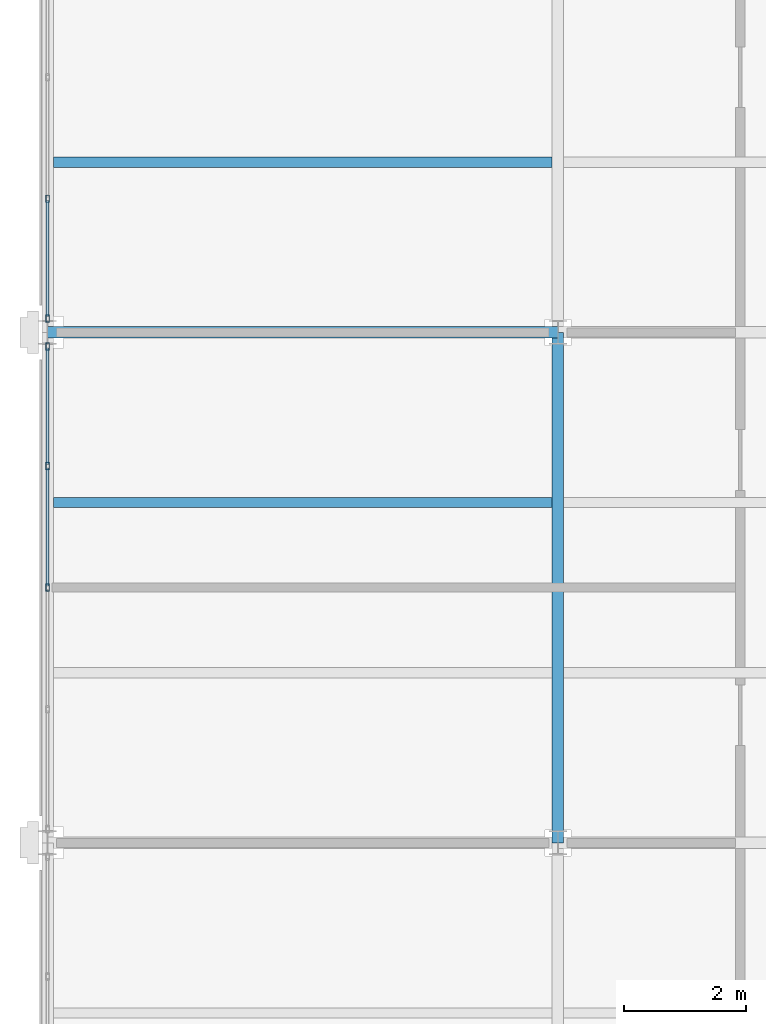
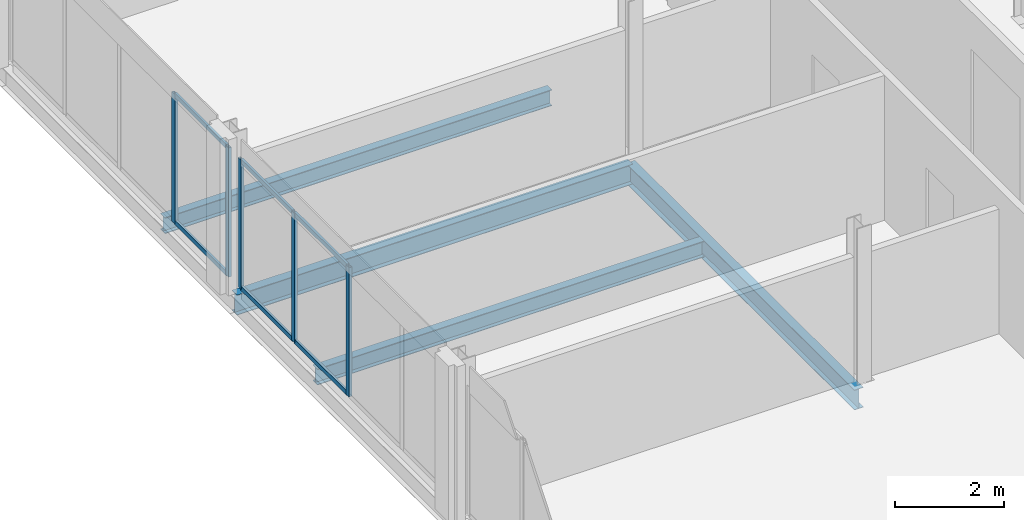
# One storey, part 12 of 32: 11 members, 4 beams, 2 elements without a shape of their own.
"""IFC4 building model written with IfcOpenShell, lengths in metres."""

from ifc_helpers import new_model, si_unit, direction, frame, origin, origin_2d, place, context, subcontext, project, spatial, hollow_rectangle, i_section, extrude, material, material_profile, profile_set, type_object, element, aggregate, save


model = new_model("IFC4")

# Units and contexts
model_context = context("Model", 3, precision=1e-05, world=origin(), true_north=direction((0.0, 1.0)))
body_context = subcontext(model_context, "Body", "Model", "MODEL_VIEW")
ifc_project = project(units=[si_unit("LENGTHUNIT", "METRE"), si_unit("AREAUNIT", "SQUARE_METRE"), si_unit("VOLUMEUNIT", "CUBIC_METRE"), si_unit("PLANEANGLEUNIT", "RADIAN"), si_unit("MASSUNIT", "GRAM", prefix="KILO")], contexts=[model_context])

# Site, building, storey
site_placement = place(None, origin())
site = spatial("IfcSite", under=ifc_project, at=site_placement, CompositionType="ELEMENT")
building_placement = place(site_placement, origin())
building = spatial("IfcBuilding", under=site, at=building_placement, Name="Catenary Quay Ferry Terminal", CompositionType="ELEMENT")
storey_placement = place(building_placement, frame((0.0, 0.0, 17.10009765625)))
storey = spatial("IfcBuildingStorey", under=building, at=storey_placement, Name="L03", CompositionType="ELEMENT", Elevation=17.10009765625)

# Beams
ifc_material_1 = material(Name="Steel S355", Category="steel")
ifc_material_profile_1 = material_profile(ifc_material_1, i_section(OverallWidth=0.18994140625, OverallDepth=0.453369140625, WebThickness=0.008544921875, FlangeThickness=0.0126953125, at=origin_2d()), Name="UB 457x191x67")
ifc_profile_set_1 = profile_set([ifc_material_profile_1], Name="Steel S355")
beam_type_1 = type_object("IfcBeamType", Name="B1 UB 457x191x67", PredefinedType="BEAM", material=ifc_profile_set_1)
for number, where, z_axis, x_axis, name in (
    (1, (25.199951171875, 184.800048828125, -0.47705078125), (1.0, 0.0, 0.0), (0.0, 1.0, 0.0), "Beam B1-004"),
    (2, (33.60009765625, 176.39990234375, -0.47705078125), (0.0, 1.0, 0.0), (-1.0, 0.0, 0.0), "Beam B1-023"),
):
    element("IfcBeam", number, at=place(storey_placement, frame(where, z_axis=z_axis, x_axis=x_axis)), inside=storey, type_object=beam_type_1, Name=name, PredefinedType="BEAM", context=body_context, shape_type="SweptSolid", body=[
        extrude(i_section(OverallWidth=0.18994140625, OverallDepth=0.453369140625, WebThickness=0.008544921875, FlangeThickness=0.0126953125, at=origin_2d()), origin(), (0.0, 0.0, 1.0), 8.400146484375),
    ])
ifc_material_2 = material(Name="Steel S355", Category="steel")
ifc_material_profile_2 = material_profile(ifc_material_2, i_section(OverallWidth=0.169921875, OverallDepth=0.360107421875, WebThickness=0.008056640625, FlangeThickness=0.0126953125, at=origin_2d()), Name="IPE 360")
ifc_profile_set_2 = profile_set([ifc_material_profile_2], Name="Steel S355")
beam_type_2 = type_object("IfcBeamType", Name="B7 IPE 360", PredefinedType="BEAM", material=ifc_profile_set_2)
for number, where, z_axis, x_axis, name in (
    (3, (25.294921875, 182.0, -0.43017578125), (1.0, 0.0, 0.0), (0.0, 1.0, 0.0), "Beam B7-034"),
    (4, (25.294921875, 187.60009765625, -0.43017578125), (1.0, 0.0, 0.0), (0.0, 1.0, 0.0), "Beam B7-037"),
):
    element("IfcBeam", number, at=place(storey_placement, frame(where, z_axis=z_axis, x_axis=x_axis)), inside=storey, type_object=beam_type_2, Name=name, PredefinedType="BEAM", context=body_context, shape_type="SweptSolid", body=[
        extrude(i_section(OverallWidth=0.169921875, OverallDepth=0.360107421875, WebThickness=0.008056640625, FlangeThickness=0.0126953125, at=origin_2d()), origin(), (0.0, 0.0, 1.0), 8.2099609375),
    ])

# Curtain wall, members
ifc_material_3 = material(Name="Aluminium and glass", Category="aluminium")
curtain_wall_type = type_object("IfcCurtainWallType", Name="CWW3", PredefinedType="NOTDEFINED", material=ifc_material_3)
curtain_wall_1_placement = place(storey_placement, origin())
curtain_wall_1 = element("IfcCurtainWall", 5, at=curtain_wall_1_placement, inside=storey, type_object=curtain_wall_type, Name="Wing curtain wall CW151", PredefinedType="NOTDEFINED")
ifc_material_4 = material(Name="Aluminium", Category="aluminium")
ifc_material_profile_3 = material_profile(ifc_material_4, hollow_rectangle(XDim=0.06005859375, YDim=0.1201171875, WallThickness=0.0048828125, at=origin_2d()), Name="MU4")
ifc_profile_set_3 = profile_set([ifc_material_profile_3], Name="Aluminium")
member_type_1 = type_object("IfcMemberType", Name="MU4", PredefinedType="MULLION", material=ifc_profile_set_3)
member_1_placement = place(storey_placement, frame((25.199951171875, 180.60009765625, 0.0), z_axis=(0.0, 0.0, 1.0), x_axis=(-1.0, 0.0, 0.0)))
member_1 = element("IfcMember", 6, at=member_1_placement, type_object=member_type_1, Name="CW151 mullion 3", PredefinedType="MULLION", context=body_context, shape_type="SweptSolid", body=[
    extrude(hollow_rectangle(XDim=0.06005859375, YDim=0.1201171875, WallThickness=0.0048828125, at=origin_2d()), origin(), (0.0, 0.0, 1.0), 2.89990234375),
])
member_2_placement = place(storey_placement, frame((25.199951171875, 182.60009765625, 0.0), z_axis=(0.0, 0.0, 1.0), x_axis=(-1.0, 0.0, 0.0)))
member_2 = element("IfcMember", 7, at=member_2_placement, type_object=member_type_1, Name="CW151 mullion 4", PredefinedType="MULLION", context=body_context, shape_type="SweptSolid", body=[
    extrude(hollow_rectangle(XDim=0.06005859375, YDim=0.1201171875, WallThickness=0.0048828125, at=origin_2d()), origin(), (0.0, 0.0, 1.0), 2.89990234375),
])
member_3_placement = place(storey_placement, frame((25.199951171875, 184.570068359375, 0.0), z_axis=(0.0, 0.0, 1.0), x_axis=(-1.0, 0.0, 0.0)))
member_3 = element("IfcMember", 8, at=member_3_placement, type_object=member_type_1, Name="CW151 mullion 5", PredefinedType="MULLION", context=body_context, shape_type="SweptSolid", body=[
    extrude(hollow_rectangle(XDim=0.06005859375, YDim=0.1201171875, WallThickness=0.0048828125, at=origin_2d()), origin(), (0.0, 0.0, 1.0), 2.89990234375),
])

curtain_wall_2_placement = place(storey_placement, origin())
curtain_wall_2 = element("IfcCurtainWall", 9, at=curtain_wall_2_placement, inside=storey, type_object=curtain_wall_type, Name="Wing curtain wall CW152", PredefinedType="NOTDEFINED")
member_4_placement = place(storey_placement, frame((25.199951171875, 185.030029296875, 0.0), z_axis=(0.0, 0.0, 1.0), x_axis=(-1.0, 0.0, 0.0)))
member_4 = element("IfcMember", 10, at=member_4_placement, type_object=member_type_1, Name="CW152 mullion 1", PredefinedType="MULLION", context=body_context, shape_type="SweptSolid", body=[
    extrude(hollow_rectangle(XDim=0.06005859375, YDim=0.1201171875, WallThickness=0.0048828125, at=origin_2d()), origin(), (0.0, 0.0, 1.0), 2.89990234375),
])
member_5_placement = place(storey_placement, frame((25.199951171875, 187.0, 0.0), z_axis=(0.0, 0.0, 1.0), x_axis=(-1.0, 0.0, 0.0)))
member_5 = element("IfcMember", 11, at=member_5_placement, type_object=member_type_1, Name="CW152 mullion 2", PredefinedType="MULLION", context=body_context, shape_type="SweptSolid", body=[
    extrude(hollow_rectangle(XDim=0.06005859375, YDim=0.1201171875, WallThickness=0.0048828125, at=origin_2d()), origin(), (0.0, 0.0, 1.0), 2.89990234375),
])

# Member
ifc_material_5 = material(Name="Aluminium", Category="aluminium")
ifc_material_profile_4 = material_profile(ifc_material_5, hollow_rectangle(XDim=0.050048828125, YDim=0.10009765625, WallThickness=0.00390625, at=origin_2d()), Name="TR4")
ifc_profile_set_4 = profile_set([ifc_material_profile_4], Name="Aluminium")
member_type_2 = type_object("IfcMemberType", Name="TR4", PredefinedType="USERDEFINED", material=ifc_profile_set_4)
member_6_placement = place(storey_placement, frame((25.199951171875, 180.6298828125, 0.02490234375), z_axis=(0.0, 1.0, 0.0), x_axis=(-1.0, 0.0, 0.0)))
member_6 = element("IfcMember", 12, at=member_6_placement, type_object=member_type_2, Name="CW151 transom 3.1", ObjectType="TRANSOM", PredefinedType="USERDEFINED", context=body_context, shape_type="SweptSolid", body=[
    extrude(hollow_rectangle(XDim=0.050048828125, YDim=0.10009765625, WallThickness=0.00390625, at=origin_2d()), origin(), (0.0, 0.0, 1.0), 1.940185546875),
])

member_7_placement = place(storey_placement, frame((25.199951171875, 180.6298828125, 2.875), z_axis=(0.0, 1.0, 0.0), x_axis=(-1.0, 0.0, 0.0)))
member_7 = element("IfcMember", 13, at=member_7_placement, type_object=member_type_2, Name="CW151 transom 3.2", ObjectType="TRANSOM", PredefinedType="USERDEFINED", context=body_context, shape_type="SweptSolid", body=[
    extrude(hollow_rectangle(XDim=0.050048828125, YDim=0.10009765625, WallThickness=0.00390625, at=origin_2d()), origin(), (0.0, 0.0, 1.0), 1.940185546875),
])

member_8_placement = place(storey_placement, frame((25.199951171875, 182.6298828125, 0.02490234375), z_axis=(0.0, 1.0, 0.0), x_axis=(-1.0, 0.0, 0.0)))
member_8 = element("IfcMember", 14, at=member_8_placement, type_object=member_type_2, Name="CW151 transom 4.1", ObjectType="TRANSOM", PredefinedType="USERDEFINED", context=body_context, shape_type="SweptSolid", body=[
    extrude(hollow_rectangle(XDim=0.050048828125, YDim=0.10009765625, WallThickness=0.00390625, at=origin_2d()), origin(), (0.0, 0.0, 1.0), 1.91015625),
])

member_9_placement = place(storey_placement, frame((25.199951171875, 182.6298828125, 2.875), z_axis=(0.0, 1.0, 0.0), x_axis=(-1.0, 0.0, 0.0)))
member_9 = element("IfcMember", 15, at=member_9_placement, type_object=member_type_2, Name="CW151 transom 4.2", ObjectType="TRANSOM", PredefinedType="USERDEFINED", context=body_context, shape_type="SweptSolid", body=[
    extrude(hollow_rectangle(XDim=0.050048828125, YDim=0.10009765625, WallThickness=0.00390625, at=origin_2d()), origin(), (0.0, 0.0, 1.0), 1.91015625),
])

aggregate(curtain_wall_1, [member_1, member_2, member_3, member_6, member_7, member_8, member_9])

member_10_placement = place(storey_placement, frame((25.199951171875, 185.06005859375, 0.02490234375), z_axis=(0.0, 1.0, 0.0), x_axis=(-1.0, 0.0, 0.0)))
member_10 = element("IfcMember", 16, at=member_10_placement, type_object=member_type_2, Name="CW152 transom 1.1", ObjectType="TRANSOM", PredefinedType="USERDEFINED", context=body_context, shape_type="SweptSolid", body=[
    extrude(hollow_rectangle(XDim=0.050048828125, YDim=0.10009765625, WallThickness=0.00390625, at=origin_2d()), origin(), (0.0, 0.0, 1.0), 1.909912109375),
])

member_11_placement = place(storey_placement, frame((25.199951171875, 185.06005859375, 2.875), z_axis=(0.0, 1.0, 0.0), x_axis=(-1.0, 0.0, 0.0)))
member_11 = element("IfcMember", 17, at=member_11_placement, type_object=member_type_2, Name="CW152 transom 1.2", ObjectType="TRANSOM", PredefinedType="USERDEFINED", context=body_context, shape_type="SweptSolid", body=[
    extrude(hollow_rectangle(XDim=0.050048828125, YDim=0.10009765625, WallThickness=0.00390625, at=origin_2d()), origin(), (0.0, 0.0, 1.0), 1.909912109375),
])

aggregate(curtain_wall_2, [member_4, member_5, member_10, member_11])

save(model, "model.ifc")
